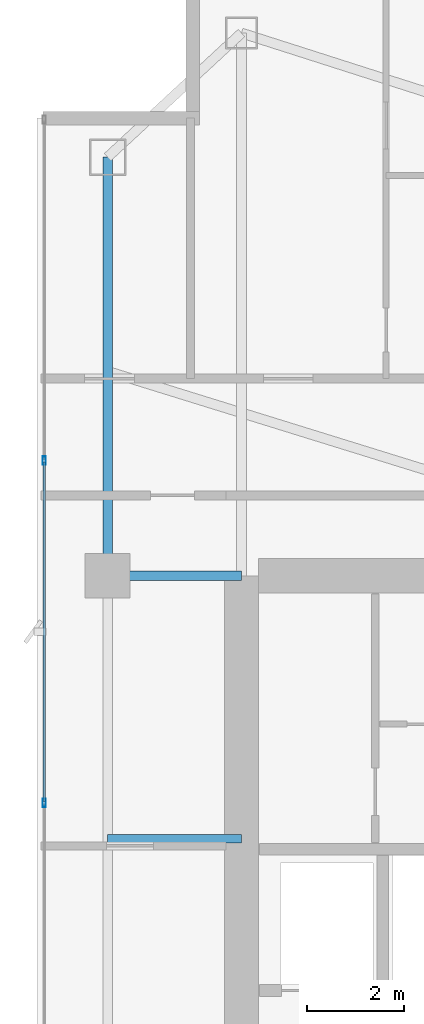
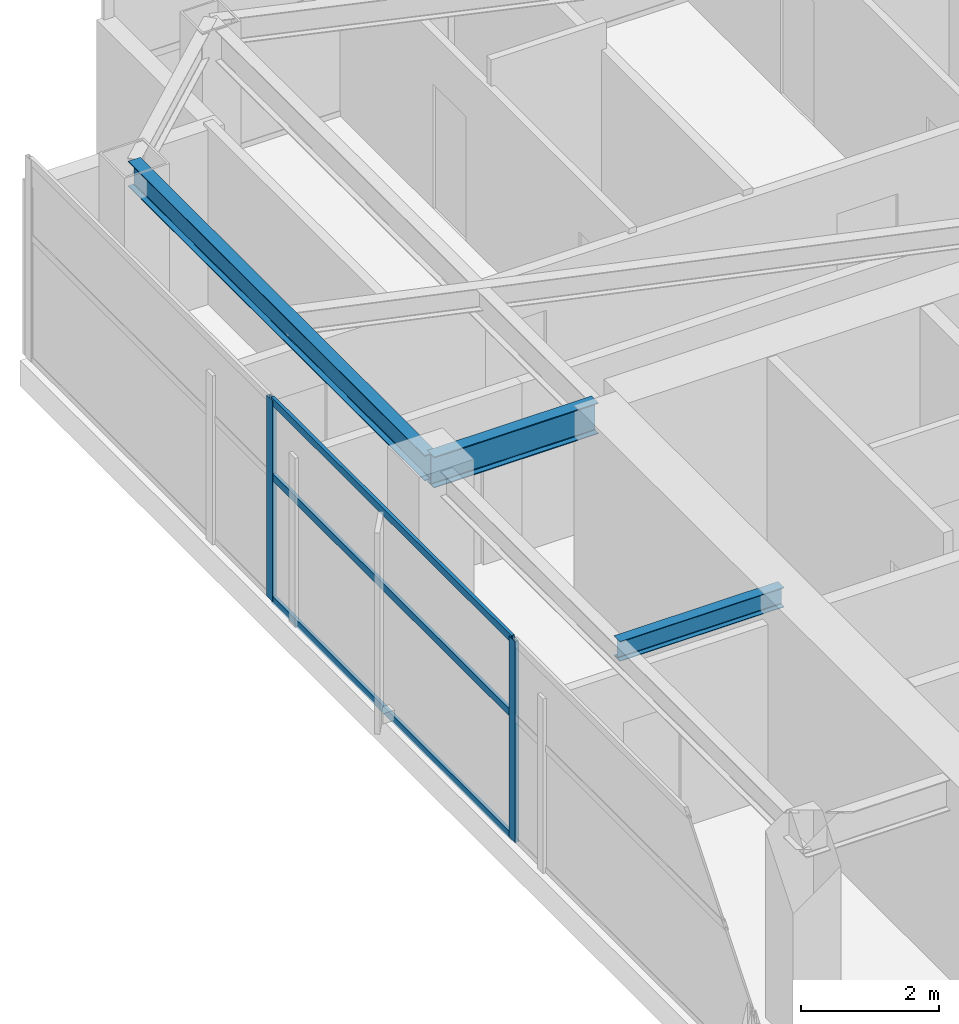
# One storey, part 16 of 28: 5 members, 3 beams, 1 element without a shape of its own.
"""IFC4 building model written with IfcOpenShell, lengths in metres."""

from ifc_helpers import new_model, si_unit, direction, frame, origin, origin_2d, place, context, subcontext, project, spatial, hollow_rectangle, i_section, extrude, material, layer, layer_set, material_profile, profile_set, type_object, element, aggregate, save


model = new_model("IFC4")

# Units and contexts
model_context = context("Model", 3, precision=1e-05, world=origin(), true_north=direction((0.0, 1.0)))
body_context = subcontext(model_context, "Body", "Model", "MODEL_VIEW")
ifc_project = project(units=[si_unit("LENGTHUNIT", "METRE"), si_unit("AREAUNIT", "SQUARE_METRE"), si_unit("VOLUMEUNIT", "CUBIC_METRE"), si_unit("PLANEANGLEUNIT", "RADIAN"), si_unit("MASSUNIT", "GRAM", prefix="KILO")], contexts=[model_context])

# Site, building, storey
site_placement = place(None, origin())
site = spatial("IfcSite", under=ifc_project, at=site_placement, CompositionType="ELEMENT")
building_placement = place(site_placement, origin())
building = spatial("IfcBuilding", under=site, at=building_placement, Name="Calvorn Quay Hotel", CompositionType="ELEMENT")
storey_placement = place(building_placement, frame((0.0, 0.0, 263.5)))
storey = spatial("IfcBuildingStorey", under=building, at=storey_placement, Name="L65", CompositionType="ELEMENT", Elevation=263.5)

# Beams
ifc_material_1 = material(Name="Steel Q355B", Category="steel")
ifc_material_profile_1 = material_profile(ifc_material_1, i_section(OverallWidth=0.199951171875, OverallDepth=0.550048828125, WebThickness=0.010009765625, FlangeThickness=0.01611328125, FilletRadius=0.01806640625, at=origin_2d()), Name="HN550x200x10x16")
ifc_profile_set_1 = profile_set([ifc_material_profile_1], Name="Steel Q355B")
beam_type_1 = type_object("IfcBeamType", Name="BM-GIRD-UPP", PredefinedType="BEAM", material=ifc_profile_set_1)
beam_1_placement = place(storey_placement, frame((1.449951171875, 38.39990234375, 3.264892578125), z_axis=(1.0, 0.0, 0.0), x_axis=(0.0, 1.0, 0.0)))
element("IfcBeam", 1, at=beam_1_placement, inside=storey, type_object=beam_type_1, Name="Beam BG-L65-W3", PredefinedType="BEAM", context=body_context, shape_type="SweptSolid", body=[
    extrude(i_section(OverallWidth=0.199951171875, OverallDepth=0.550048828125, WebThickness=0.010009765625, FlangeThickness=0.01611328125, FilletRadius=0.01806640625, at=origin_2d()), origin(), (0.0, 0.0, 1.0), 2.75),
])
ifc_material_2 = material(Name="Steel Q355B", Category="steel")
ifc_material_profile_2 = material_profile(ifc_material_2, i_section(OverallWidth=0.175048828125, OverallDepth=0.35009765625, WebThickness=0.007080078125, FlangeThickness=0.010986328125, FilletRadius=0.013916015625, at=origin_2d()), Name="HN350x175x7x11")
ifc_profile_set_2 = profile_set([ifc_material_profile_2], Name="Steel Q355B")
beam_type_2 = type_object("IfcBeamType", Name="BM-JOIST-SEC", PredefinedType="JOIST", material=ifc_profile_set_2)
beam_2_placement = place(storey_placement, frame((1.449951171875, 33.0, 3.364990234375), z_axis=(1.0, 0.0, 0.0), x_axis=(0.0, 1.0, 0.0)))
element("IfcBeam", 2, at=beam_2_placement, inside=storey, type_object=beam_type_2, Name="Beam BJ-L65-W4", PredefinedType="JOIST", context=body_context, shape_type="SweptSolid", body=[
    extrude(i_section(OverallWidth=0.175048828125, OverallDepth=0.35009765625, WebThickness=0.007080078125, FlangeThickness=0.010986328125, FilletRadius=0.013916015625, at=origin_2d()), origin(), (0.0, 0.0, 1.0), 2.75),
])
ifc_material_3 = material(Name="Steel Q355B", Category="steel")
ifc_material_profile_3 = material_profile(ifc_material_3, i_section(OverallWidth=0.199951171875, OverallDepth=0.449951171875, WebThickness=0.009033203125, FlangeThickness=0.013916015625, FilletRadius=0.01611328125, at=origin_2d()), Name="HN450x200x9x14")
ifc_profile_set_3 = profile_set([ifc_material_profile_3], Name="Steel Q355B")
beam_type_3 = type_object("IfcBeamType", Name="BM-SPANDREL-Z3", PredefinedType="SPANDREL", material=ifc_profile_set_3)
beam_3_placement = place(storey_placement, frame((1.449951171875, 38.39990234375, 3.31494140625), z_axis=(0.0, 1.0, 0.0), x_axis=(-1.0, 0.0, 0.0)))
element("IfcBeam", 3, at=beam_3_placement, inside=storey, type_object=beam_type_3, Name="Beam BSP-L65-W4", PredefinedType="SPANDREL", context=body_context, shape_type="SweptSolid", body=[
    extrude(i_section(OverallWidth=0.199951171875, OverallDepth=0.449951171875, WebThickness=0.009033203125, FlangeThickness=0.013916015625, FilletRadius=0.01611328125, at=origin_2d()), origin(), (0.0, 0.0, 1.0), 8.60009765625),
])

# Curtain wall, members
ifc_material_4 = material(Name="Champagne Bronze Anodised Aluminium and Low-E Glass", Category="aluminium")
ifc_layer = layer(ifc_material_4, 0.219970703125)
ifc_layer_set = layer_set([ifc_layer], Name="CW-SYS-Z4")
curtain_wall_type = type_object("IfcCurtainWallType", Name="CW-SYS-Z4", PredefinedType="NOTDEFINED", material=ifc_layer_set)
curtain_wall_placement = place(storey_placement, origin())
curtain_wall = element("IfcCurtainWall", 4, at=curtain_wall_placement, inside=storey, type_object=curtain_wall_type, Name="Tower West Curtain Wall (L65)", PredefinedType="NOTDEFINED")
ifc_material_5 = material(Name="Champagne Bronze Anodised Aluminium 6063-T6", Category="aluminium")
ifc_material_profile_4 = material_profile(ifc_material_5, hollow_rectangle(XDim=0.06494140625, YDim=0.169921875, WallThickness=0.00341796875, at=origin_2d()), Name="ALU-M170x65x3.5")
ifc_profile_set_4 = profile_set([ifc_material_profile_4], Name="Champagne Bronze Anodised Aluminium 6063-T6")
member_type_1 = type_object("IfcMemberType", Name="CW-SYS-Z4-MUL", PredefinedType="MULLION", material=ifc_profile_set_4)
member_1_placement = place(storey_placement, frame((0.14990234375, 33.7333984375, 0.0), z_axis=(0.0, 0.0, 1.0), x_axis=(-1.0, 0.0, 0.0)))
member_1 = element("IfcMember", 5, at=member_1_placement, type_object=member_type_1, Name="CW-L65-W mullion 5", PredefinedType="MULLION", context=body_context, shape_type="SweptSolid", body=[
    extrude(hollow_rectangle(XDim=0.06494140625, YDim=0.169921875, WallThickness=0.00341796875, at=origin_2d()), origin(), (0.0, 0.0, 1.0), 3.56005859375),
])
member_2_placement = place(storey_placement, frame((0.14990234375, 40.7666015625, 0.0), z_axis=(0.0, 0.0, 1.0), x_axis=(-1.0, 0.0, 0.0)))
member_2 = element("IfcMember", 6, at=member_2_placement, type_object=member_type_1, Name="CW-L65-W mullion 6", PredefinedType="MULLION", context=body_context, shape_type="SweptSolid", body=[
    extrude(hollow_rectangle(XDim=0.06494140625, YDim=0.169921875, WallThickness=0.00341796875, at=origin_2d()), origin(), (0.0, 0.0, 1.0), 3.56005859375),
])
ifc_material_6 = material(Name="Champagne Bronze Anodised Aluminium 6063-T6", Category="aluminium")
ifc_material_profile_5 = material_profile(ifc_material_6, hollow_rectangle(XDim=0.054931640625, YDim=0.1298828125, WallThickness=0.003173828125, at=origin_2d()), Name="ALU-T130x55x3.2")
ifc_profile_set_5 = profile_set([ifc_material_profile_5], Name="Champagne Bronze Anodised Aluminium 6063-T6")
member_type_2 = type_object("IfcMemberType", Name="CW-SYS-Z4-TRN", PredefinedType="USERDEFINED", material=ifc_profile_set_5)
member_3_placement = place(storey_placement, frame((0.14990234375, 33.763427734375, 0.030029296875), z_axis=(0.0, 1.0, 0.0), x_axis=(-1.0, 0.0, 0.0)))
member_3 = element("IfcMember", 7, at=member_3_placement, type_object=member_type_2, Name="CW-L65-W transom 5.1", ObjectType="TRANSOM", PredefinedType="USERDEFINED", context=body_context, shape_type="SweptSolid", body=[
    extrude(hollow_rectangle(XDim=0.054931640625, YDim=0.1298828125, WallThickness=0.003173828125, at=origin_2d()), origin(), (0.0, 0.0, 1.0), 6.97314453125),
])
member_4_placement = place(storey_placement, frame((0.14990234375, 33.763427734375, 2.199951171875), z_axis=(0.0, 1.0, 0.0), x_axis=(-1.0, 0.0, 0.0)))
member_4 = element("IfcMember", 8, at=member_4_placement, type_object=member_type_2, Name="CW-L65-W transom 5.2", ObjectType="TRANSOM", PredefinedType="USERDEFINED", context=body_context, shape_type="SweptSolid", body=[
    extrude(hollow_rectangle(XDim=0.054931640625, YDim=0.1298828125, WallThickness=0.003173828125, at=origin_2d()), origin(), (0.0, 0.0, 1.0), 6.97314453125),
])
member_5_placement = place(storey_placement, frame((0.14990234375, 33.763427734375, 3.530029296875), z_axis=(0.0, 1.0, 0.0), x_axis=(-1.0, 0.0, 0.0)))
member_5 = element("IfcMember", 9, at=member_5_placement, type_object=member_type_2, Name="CW-L65-W transom 5.3", ObjectType="TRANSOM", PredefinedType="USERDEFINED", context=body_context, shape_type="SweptSolid", body=[
    extrude(hollow_rectangle(XDim=0.054931640625, YDim=0.1298828125, WallThickness=0.003173828125, at=origin_2d()), origin(), (0.0, 0.0, 1.0), 6.97314453125),
])
aggregate(curtain_wall, [member_1, member_2, member_3, member_4, member_5])

save(model, "model.ifc")
